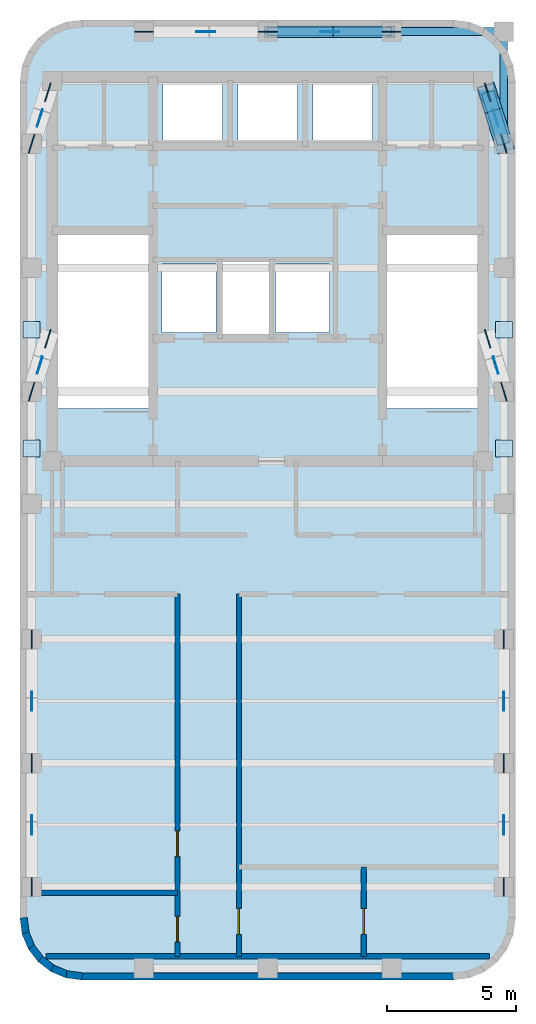
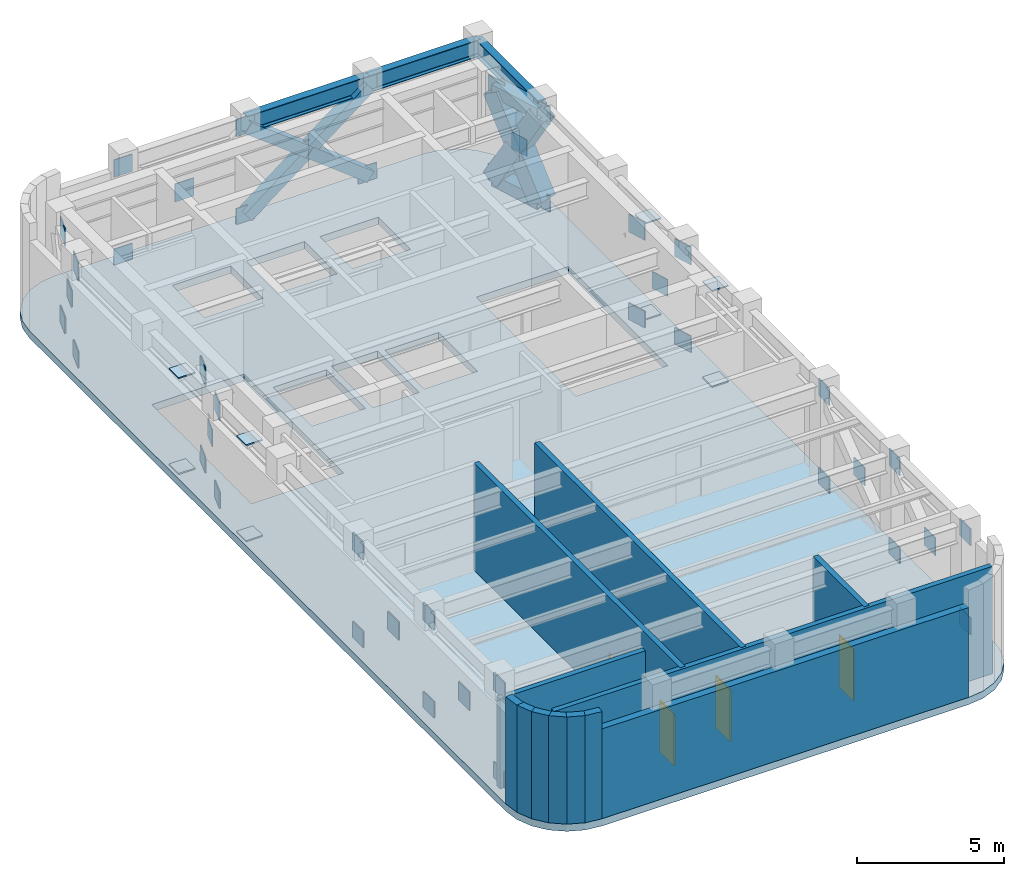
# One storey, part 2 of 5: 52 plates, 12 walls, 8 members, 4 doors, 3 beams, 1 slab, 4 openings.
"""IFC4 building model written with IfcOpenShell, lengths in metres."""

import ifcopenshell
import ifcopenshell.guid

model = None  # the IFC model being written
_history = None  # IfcOwnerHistory: only IFC2X3 demands one
_inside = {}  # id of a spatial element -> (the spatial element, [elements in it])
_under = {}  # id of a project, library or spatial element -> (it, [spatial elements below it])
_declared = {}  # id of a project -> (the project, [libraries it declares])
_typed = {}  # id of a type object -> (the type object, [elements of that type])
_made_of = {}  # id of a material, layer set ... -> (it, [elements and type objects made of it])


def new_model(schema):
    """Start an empty IFC model of exactly this schema.

    Asked for "IFC4X3", IfcOpenShell would pick the latest addendum, in which some entities
    have other attributes; the version numbers below select the first issue.
    IFC2X3 requires an IfcOwnerHistory on every rooted entity: one is made here for all.
    """
    global model, _history
    if schema == "IFC4X3":
        model = ifcopenshell.file(schema_version=(4, 3, 0, 0))
    else:
        model = ifcopenshell.file(schema=schema)
    _inside.clear()
    _under.clear()
    _declared.clear()
    _typed.clear()
    _made_of.clear()
    _history = None
    if model.schema == "IFC2X3":
        org = make("IfcOrganization", Name="unknown")
        user = make(
            "IfcPersonAndOrganization",
            ThePerson=make("IfcPerson", FamilyName="unknown"),
            TheOrganization=org,
        )
        app = make(
            "IfcApplication",
            ApplicationDeveloper=org,
            Version="unknown",
            ApplicationFullName="unknown",
            ApplicationIdentifier="unknown",
        )
        _history = make(
            "IfcOwnerHistory",
            OwningUser=user,
            OwningApplication=app,
            ChangeAction="ADDED",
            CreationDate=0,
        )
    return model


def make(cls, **values):
    """One entity of the class cls with the attributes given. An attribute that is None is left unset."""
    return model.create_entity(
        cls, **{name: value for name, value in values.items() if value is not None}
    )


def rooted(cls, **values):
    """An entity with a GlobalId (a new one), such as an element, a storey or a relation."""
    return make(cls, GlobalId=ifcopenshell.guid.new(), OwnerHistory=_history, **values)


def si_unit(unit_type, name, prefix=None):
    """IfcSIUnit, for example si_unit("LENGTHUNIT", "METRE", prefix="MILLI")."""
    return make("IfcSIUnit", UnitType=unit_type, Prefix=prefix, Name=name)


def assignment(units):
    """IfcUnitAssignment: the units of a project."""
    return None if units is None else make("IfcUnitAssignment", Units=units)


def point(xyz):
    """IfcCartesianPoint."""
    return None if xyz is None else make("IfcCartesianPoint", Coordinates=xyz)


def direction(xyz):
    """IfcDirection."""
    return None if xyz is None else make("IfcDirection", DirectionRatios=xyz)


def frame(location, z_axis=None, x_axis=None):
    """IfcAxis2Placement3D, a coordinate frame: its origin and axes. An axis left out is left unset."""
    return make(
        "IfcAxis2Placement3D",
        Location=point(location),
        Axis=direction(z_axis),
        RefDirection=direction(x_axis),
    )


def frame_2d(location, x_axis=None):
    """IfcAxis2Placement2D, a coordinate frame in the plane: its origin and x axis."""
    return make(
        "IfcAxis2Placement2D", Location=point(location), RefDirection=direction(x_axis)
    )


def origin():
    """The frame at (0, 0, 0) with its axes left unset."""
    return frame((0.0, 0.0, 0.0))


def origin_2d():
    """The frame at (0, 0) in the plane with its x axis left unset."""
    return frame_2d((0.0, 0.0))


def place(relative_to, where):
    """IfcLocalPlacement: puts the frame where relative to a parent placement (None: the world)."""
    return make(
        "IfcLocalPlacement", PlacementRelTo=relative_to, RelativePlacement=where
    )


def context(
    kind, dimensions, precision=None, world=None, true_north=None, identifier=None
):
    """IfcGeometricRepresentationContext, for example the 3D "Model" context."""
    return make(
        "IfcGeometricRepresentationContext",
        ContextIdentifier=identifier,
        ContextType=kind,
        CoordinateSpaceDimension=dimensions,
        Precision=precision,
        WorldCoordinateSystem=world,
        TrueNorth=true_north,
    )


def subcontext(parent, identifier, kind, view, scale=None):
    """IfcGeometricRepresentationSubContext, for example "Body" below "Model"."""
    return make(
        "IfcGeometricRepresentationSubContext",
        ContextIdentifier=identifier,
        ContextType=kind,
        ParentContext=parent,
        TargetScale=scale,
        TargetView=view,
    )


def project(units=None, contexts=None):
    """IfcProject with its units and contexts."""
    return rooted(
        "IfcProject",
        Name="project",
        RepresentationContexts=contexts,
        UnitsInContext=assignment(units),
    )


def spatial(cls, under=None, at=None, **own):
    """A site, building, storey or space (cls), placed at a placement, below another one or the project."""
    s = rooted(cls, ObjectPlacement=at, **own)
    if under is not None:
        _under.setdefault(under.id(), (under, []))[1].append(s)
    return s


def polyline(points):
    """IfcPolyline through the points."""
    return make("IfcPolyline", Points=[point(p) for p in points])


def profile(cls, at=None, kind="AREA", **sizes):
    """A parametric profile (cls). Its sizes go by their IFC names, for example OverallWidth=200.0."""
    return make(cls, ProfileType=kind, Position=at, **sizes)


def rectangle(**sizes):
    """IfcRectangleProfileDef."""
    return profile("IfcRectangleProfileDef", **sizes)


def hollow_rectangle(**sizes):
    """IfcRectangleHollowProfileDef."""
    return profile("IfcRectangleHollowProfileDef", **sizes)


def i_section(**sizes):
    """IfcIShapeProfileDef."""
    return profile("IfcIShapeProfileDef", **sizes)


def outline(outer, holes=None, kind="AREA"):
    """IfcArbitraryClosedProfileDef: a profile drawn as a closed curve; with holes, ...WithVoids."""
    if holes is None:
        return make("IfcArbitraryClosedProfileDef", ProfileType=kind, OuterCurve=outer)
    return make(
        "IfcArbitraryProfileDefWithVoids",
        ProfileType=kind,
        OuterCurve=outer,
        InnerCurves=holes,
    )


def extrude(swept, where, along, depth):
    """IfcExtrudedAreaSolid: the profile swept, set in the frame where, extruded along a direction by depth."""
    return make(
        "IfcExtrudedAreaSolid",
        SweptArea=swept,
        Position=where,
        ExtrudedDirection=direction(along),
        Depth=depth,
    )


def shape(context_of_items, identifier, shape_type, items):
    """IfcShapeRepresentation: the items that make up one representation, for example the "Body"."""
    return make(
        "IfcShapeRepresentation",
        ContextOfItems=context_of_items,
        RepresentationIdentifier=identifier,
        RepresentationType=shape_type,
        Items=items,
    )


def material(Name=None, Category=None):
    """IfcMaterial."""
    return make("IfcMaterial", Name=Name, Category=Category)


def layer(
    of_material, thickness, ventilated=None, Name=None, Category=None, Priority=None
):
    """IfcMaterialLayer: one layer of a wall or slab, of a material (None: an air gap)."""
    return make(
        "IfcMaterialLayer",
        Material=of_material,
        LayerThickness=thickness,
        IsVentilated=ventilated,
        Name=Name,
        Category=Category,
        Priority=Priority,
    )


def layer_set(layers, Name=None):
    """IfcMaterialLayerSet."""
    return make("IfcMaterialLayerSet", MaterialLayers=layers, LayerSetName=Name)


def material_profile(
    of_material, cross_section, Name=None, Category=None, Priority=None
):
    """IfcMaterialProfile: a cross section and its material."""
    return make(
        "IfcMaterialProfile",
        Name=Name,
        Material=of_material,
        Profile=cross_section,
        Priority=Priority,
        Category=Category,
    )


def profile_set(profiles, Name=None, composite=None):
    """IfcMaterialProfileSet."""
    return make(
        "IfcMaterialProfileSet",
        Name=Name,
        MaterialProfiles=profiles,
        CompositeProfile=composite,
    )


def made_of(thing, what):
    """Note that an element or type object is made of a material, layer set ...; save() writes the relation."""
    if what is not None:
        _made_of.setdefault(what.id(), (what, []))[1].append(thing)
    return thing


def type_object(cls, material=None, **own):
    """A type object (cls), such as IfcWallType, which elements share."""
    return made_of(rooted(cls, **own), material)


def element(
    cls,
    number,
    at=None,
    inside=None,
    cuts=None,
    type_object=None,
    material=None,
    context=None,
    identifier="Body",
    shape_type=None,
    held_by="IfcProductDefinitionShape",
    body=None,
    shapes=None,
    **own,
):
    """One element of the class cls, such as IfcWall. Its Tag is "e" and its number.

    at: its placement. inside: the storey or other place that contains it. cuts: it is an
    opening in that element (IfcRelVoidsElement). A single representation is given by context,
    identifier, shape_type and body (its items); several are given by shapes. held_by: the class
    of the entity that holds the representations. save() writes the other relations.
    """
    e = rooted(cls, Tag="e%d" % number, ObjectPlacement=at, **own)
    if body is not None:
        shapes = [shape(context, identifier, shape_type, body)]
    if shapes is not None:
        e.Representation = make(held_by, Representations=shapes)
    if inside is not None:
        _inside.setdefault(inside.id(), (inside, []))[1].append(e)
    if cuts is not None:
        rooted(
            "IfcRelVoidsElement", RelatingBuildingElement=cuts, RelatedOpeningElement=e
        )
    if type_object is not None:
        _typed.setdefault(type_object.id(), (type_object, []))[1].append(e)
    return made_of(e, material)


def fill(opening, filler):
    """IfcRelFillsElement: the door or window that sits in an opening."""
    return rooted(
        "IfcRelFillsElement",
        RelatingOpeningElement=opening,
        RelatedBuildingElement=filler,
    )


def aggregate(whole, parts):
    """IfcRelAggregates: a whole, such as a stair, and the parts it consists of."""
    return rooted("IfcRelAggregates", RelatingObject=whole, RelatedObjects=parts)


def save(model, path):
    """Write the relations noted so far, then the file.

    IfcRelAggregates (storeys below a building ...), IfcRelContainedInSpatialStructure (elements
    in a storey), IfcRelDefinesByType, IfcRelAssociatesMaterial and IfcRelDeclares: one each for
    every whole, place, type object, material and project.
    """
    for whole, parts in _under.values():
        aggregate(whole, parts)
    for where, things in _inside.values():
        rooted(
            "IfcRelContainedInSpatialStructure",
            RelatedElements=things,
            RelatingStructure=where,
        )
    for kind, things in _typed.values():
        rooted("IfcRelDefinesByType", RelatedObjects=things, RelatingType=kind)
    for what, things in _made_of.values():
        rooted("IfcRelAssociatesMaterial", RelatedObjects=things, RelatingMaterial=what)
    for by, libraries in _declared.values():
        rooted("IfcRelDeclares", RelatingContext=by, RelatedDefinitions=libraries)
    model.write(path)


model = new_model("IFC4")

# Units and contexts
model_context = context("Model", 3, precision=1e-05, world=origin(), true_north=direction((0.0, 1.0)))
body_context = subcontext(model_context, "Body", "Model", "MODEL_VIEW")
ifc_project = project(units=[si_unit("LENGTHUNIT", "METRE"), si_unit("AREAUNIT", "SQUARE_METRE"), si_unit("VOLUMEUNIT", "CUBIC_METRE"), si_unit("PLANEANGLEUNIT", "RADIAN"), si_unit("MASSUNIT", "GRAM", prefix="KILO")], contexts=[model_context])

# Site, building, storey
site_placement = place(None, origin())
site = spatial("IfcSite", under=ifc_project, at=site_placement, CompositionType="ELEMENT")
building_placement = place(site_placement, origin())
building = spatial("IfcBuilding", under=site, at=building_placement, Name="Orvandelia Arch Residences", CompositionType="ELEMENT")
storey_placement = place(building_placement, frame((0.0, 0.0, 296.199951171875)))
storey = spatial("IfcBuildingStorey", under=building, at=storey_placement, Name="L76", CompositionType="ELEMENT", Elevation=296.199951171875)

# Beams
ifc_material_1 = material(Name="Structural Steel SM355 (355 MPa)", Category="steel")
ifc_material_profile_1 = material_profile(ifc_material_1, i_section(OverallWidth=0.300048828125, OverallDepth=0.699951171875, WebThickness=0.012939453125, FlangeThickness=0.02392578125, FilletRadius=0.02392578125, at=origin_2d()), Name="Structural Steel SM355 (355 MPa)", Category="steel")
ifc_profile_set_1 = profile_set([ifc_material_profile_1], Name="Structural Steel SM355 (355 MPa)")
beam_type = type_object("IfcBeamType", Name="BM-GRD-H700", PredefinedType="BEAM", material=ifc_profile_set_1)
beam_1_placement = place(storey_placement, frame((23.550048828125, 43.199951171875, 4.10009765625), z_axis=(0.0, 1.0, 0.0), x_axis=(-1.0, 0.0, 0.0)))
element("IfcBeam", 1, at=beam_1_placement, inside=storey, type_object=beam_type, Name="Structural Frame Beam L76-NS-015", PredefinedType="BEAM", context=body_context, shape_type="SweptSolid", body=[
    extrude(i_section(OverallWidth=0.300048828125, OverallDepth=0.699951171875, WebThickness=0.012939453125, FlangeThickness=0.02392578125, FilletRadius=0.02392578125, at=origin_2d()), origin(), (0.0, 0.0, 1.0), 4.35009765625),
])
beam_2_placement = place(storey_placement, frame((14.39990234375, 47.550048828125, 4.10009765625), z_axis=(1.0, 0.0, 0.0), x_axis=(0.0, 1.0, 0.0)))
element("IfcBeam", 2, at=beam_2_placement, inside=storey, type_object=beam_type, Name="Structural Frame Girder L76-EW-028", PredefinedType="BEAM", context=body_context, shape_type="SweptSolid", body=[
    extrude(i_section(OverallWidth=0.300048828125, OverallDepth=0.699951171875, WebThickness=0.012939453125, FlangeThickness=0.02392578125, FilletRadius=0.02392578125, at=origin_2d()), origin(), (0.0, 0.0, 1.0), 4.800048828125),
])
beam_3_placement = place(storey_placement, frame((19.199951171875, 47.550048828125, 4.10009765625), z_axis=(1.0, 0.0, 0.0), x_axis=(0.0, 1.0, 0.0)))
element("IfcBeam", 3, at=beam_3_placement, inside=storey, type_object=beam_type, Name="Structural Frame Girder L76-EW-029", PredefinedType="BEAM", context=body_context, shape_type="SweptSolid", body=[
    extrude(i_section(OverallWidth=0.300048828125, OverallDepth=0.699951171875, WebThickness=0.012939453125, FlangeThickness=0.02392578125, FilletRadius=0.02392578125, at=origin_2d()), origin(), (0.0, 0.0, 1.0), 4.35009765625),
])

# Members
ifc_material_2 = material(Name="Structural Steel HSA650 (650 MPa)", Category="steel")
ifc_material_profile_2 = material_profile(ifc_material_2, hollow_rectangle(XDim=0.449951171875, YDim=0.449951171875, WallThickness=0.02490234375, at=origin_2d()), Name="Structural Steel HSA650 (650 MPa)", Category="steel")
ifc_profile_set_2 = profile_set([ifc_material_profile_2], Name="Structural Steel HSA650 (650 MPa)")
member_type_1 = type_object("IfcMemberType", Name="MBR-BELT-DIAG", PredefinedType="BRACE", material=ifc_profile_set_2)
member_1_placement = place(storey_placement, frame((14.39990234375, 47.550048828125, 0.300048828125), z_axis=(0.79201709571, 0.0, 0.610498910812), x_axis=(0.0, 1.0, 0.0)))
element("IfcMember", 4, at=member_1_placement, inside=storey, type_object=member_type_1, Name="Perimeter Belt Truss Diagonal L76-BN-2-1", PredefinedType="BRACE", context=body_context, shape_type="SweptSolid", body=[
    extrude(hollow_rectangle(XDim=0.449951171875, YDim=0.449951171875, WallThickness=0.02490234375, at=origin_2d()), origin(), (0.0, 0.0, 1.0), 6.060546875),
])
member_2_placement = place(storey_placement, frame((19.199951171875, 47.550048828125, 0.300048828125), z_axis=(-0.79199143626, 0.0, 0.610532198078), x_axis=(0.0, -1.0, 0.0)))
element("IfcMember", 5, at=member_2_placement, inside=storey, type_object=member_type_1, Name="Perimeter Belt Truss Split Diagonal Lower L76-BN-2-2A", PredefinedType="BRACE", context=body_context, shape_type="SweptSolid", body=[
    extrude(hollow_rectangle(XDim=0.449951171875, YDim=0.449951171875, WallThickness=0.02490234375, at=origin_2d()), origin(), (0.0, 0.0, 1.0), 3.01513671875),
])
member_3_placement = place(storey_placement, frame((16.7880859375, 47.550048828125, 2.1591796875), z_axis=(-0.792021615799, 0.0, 0.610493046731), x_axis=(0.0, -1.0, 0.0)))
element("IfcMember", 6, at=member_3_placement, inside=storey, type_object=member_type_1, Name="Perimeter Belt Truss Split Diagonal Upper L76-BN-2-2B", PredefinedType="BRACE", context=body_context, shape_type="SweptSolid", body=[
    extrude(hollow_rectangle(XDim=0.449951171875, YDim=0.449951171875, WallThickness=0.02490234375, at=origin_2d()), origin(), (0.0, 0.0, 1.0), 3.015380859375),
])
ifc_material_profile_3 = material_profile(ifc_material_2, hollow_rectangle(XDim=0.5, YDim=0.5, WallThickness=0.028076171875, at=origin_2d()), Name="Structural Steel HSA650 (650 MPa)", Category="steel")
ifc_profile_set_3 = profile_set([ifc_material_profile_3], Name="Structural Steel HSA650 (650 MPa)")
member_type_2 = type_object("IfcMemberType", Name="MBR-OUTRIGGER-CHORD", PredefinedType="CHORD", material=ifc_profile_set_3)
for number, where, z_axis, x_axis, name in (
    (7, (23.550048828125, 43.199951171875, 0.300048828125), (-0.30050165057, 0.95378129464, 0.0), (-0.95378129464, -0.30050165057, 0.0), "Outrigger Bottom Chord L76-OE-N"),
    (8, (23.550048828125, 43.199951171875, 4.0), (-0.30050165057, 0.95378129464, 0.0), (-0.95378129464, -0.30050165057, 0.0), "Outrigger Top Chord L76-OE-N"),
):
    element("IfcMember", number, at=place(storey_placement, frame(where, z_axis=z_axis, x_axis=x_axis)), inside=storey, type_object=member_type_2, Name=name, PredefinedType="CHORD", context=body_context, shape_type="SweptSolid", body=[
        extrude(hollow_rectangle(XDim=0.5, YDim=0.5, WallThickness=0.028076171875, at=origin_2d()), origin(), (0.0, 0.0, 1.0), 2.096923828125),
    ])
ifc_material_profile_4 = material_profile(ifc_material_2, hollow_rectangle(XDim=0.699951171875, YDim=0.699951171875, WallThickness=0.0400390625, at=origin_2d()), Name="Structural Steel HSA650 (650 MPa)", Category="steel")
ifc_profile_set_4 = profile_set([ifc_material_profile_4], Name="Structural Steel HSA650 (650 MPa)")
member_type_3 = type_object("IfcMemberType", Name="MBR-OUTRIGGER-DIAG", PredefinedType="BRACE", material=ifc_profile_set_4)
member_4_placement = place(storey_placement, frame((23.550048828125, 43.199951171875, 0.35009765625), z_axis=(-0.151252711649, 0.480070598153, 0.864091915254), x_axis=(-0.95378129464, -0.30050165057, 0.0)))
element("IfcMember", 9, at=member_4_placement, inside=storey, type_object=member_type_3, Name="Outrigger Web Diagonal L76-OE-N-1", PredefinedType="BRACE", context=body_context, shape_type="SweptSolid", body=[
    extrude(hollow_rectangle(XDim=0.699951171875, YDim=0.699951171875, WallThickness=0.0400390625, at=origin_2d()), origin(), (0.0, 0.0, 1.0), 4.166015625),
])
for number, where, z_axis, x_axis, name in (
    (10, (22.919921875, 45.199951171875, 0.35009765625), (0.151239481798, -0.480046629968, 0.864107546664), (0.953784528174, 0.300491387258, 0.0), "Outrigger Split Diagonal Lower L76-OE-N-2A"),
    (11, (23.2373046875, 44.19287109375, 2.1630859375), (0.151230909818, -0.480137478711, 0.864058570614), (0.953805702092, 0.300424171227, 0.0), "Outrigger Split Diagonal Upper L76-OE-N-2B"),
):
    element("IfcMember", number, at=place(storey_placement, frame(where, z_axis=z_axis, x_axis=x_axis)), inside=storey, type_object=member_type_3, Name=name, PredefinedType="BRACE", context=body_context, shape_type="SweptSolid", body=[
        extrude(hollow_rectangle(XDim=0.699951171875, YDim=0.699951171875, WallThickness=0.0400390625, at=origin_2d()), origin(), (0.0, 0.0, 1.0), 2.06787109375),
    ])

# Plates
ifc_layer_1 = layer(ifc_material_2, 0.050048828125, Name="Structural Steel HSA650 (650 MPa)", Category="steel")
ifc_layer_set_1 = layer_set([ifc_layer_1], Name="Structural Steel HSA650 (650 MPa)")
plate_type_1 = type_object("IfcPlateType", Name="PLT-BASE-650", PredefinedType="USERDEFINED", material=ifc_layer_set_1)
for number, where, z_axis, x_axis, name in (
    (12, (5.25, 31.39990234375, 0.0), (0.0, 0.0, 1.0), (1.0, 0.0, 0.0), "Belt Post Base Plate L76-BPW-1"),
    (13, (5.25, 31.39990234375, 3.97509765625), (0.0, 0.0, 1.0), (1.0, 0.0, 0.0), "Belt Post Top Cap Plate L76-BPW-1"),
    (14, (5.25, 36.0, 0.0), (0.0, 0.0, 1.0), (1.0, 0.0, 0.0), "Belt Post Base Plate L76-BPW-2"),
    (15, (5.25, 36.0, 3.97509765625), (0.0, 0.0, 1.0), (1.0, 0.0, 0.0), "Belt Post Top Cap Plate L76-BPW-2"),
    (16, (23.550048828125, 31.39990234375, 0.0), (0.0, 0.0, 1.0), (1.0, 0.0, 0.0), "Belt Post Base Plate L76-BPE-1"),
    (17, (23.550048828125, 31.39990234375, 3.97509765625), (0.0, 0.0, 1.0), (1.0, 0.0, 0.0), "Belt Post Top Cap Plate L76-BPE-1"),
    (18, (23.550048828125, 36.0, 0.0), (0.0, 0.0, 1.0), (1.0, 0.0, 0.0), "Belt Post Base Plate L76-BPE-2"),
    (19, (23.550048828125, 36.0, 3.97509765625), (0.0, 0.0, 1.0), (1.0, 0.0, 0.0), "Belt Post Top Cap Plate L76-BPE-2"),
):
    element("IfcPlate", number, at=place(storey_placement, frame(where, z_axis=z_axis, x_axis=x_axis)), inside=storey, type_object=plate_type_1, Name=name, ObjectType="BASE_PLATE", PredefinedType="USERDEFINED", context=body_context, shape_type="SweptSolid", body=[
        extrude(rectangle(XDim=0.64990234375, YDim=0.64990234375, at=origin_2d()), origin(), (0.0, 0.0, 1.0), 0.050048828125),
    ])
ifc_layer_2 = layer(ifc_material_2, 0.0400390625, Name="Structural Steel HSA650 (650 MPa)", Category="steel")
ifc_layer_set_2 = layer_set([ifc_layer_2], Name="Structural Steel HSA650 (650 MPa)")
plate_type_2 = type_object("IfcPlateType", Name="PLT-GUSSET-720", PredefinedType="USERDEFINED", material=ifc_layer_set_2)
for number, where, z_axis, x_axis, name in (
    (20, (5.25, 14.39990234375, -0.06005859375), (0.0, 0.0, 1.0), (0.0, 1.0, 0.0), "Belt Truss End Gusset Plate L76-BW-1-ALO"),
    (21, (5.25, 19.199951171875, -0.06005859375), (0.0, 0.0, 1.0), (0.0, 1.0, 0.0), "Belt Truss End Gusset Plate L76-BW-1-BLO"),
    (22, (5.25, 14.39990234375, 3.64013671875), (0.0, 0.0, 1.0), (0.0, 1.0, 0.0), "Belt Truss End Gusset Plate L76-BW-1-AHI"),
    (23, (5.25, 19.199951171875, 3.64013671875), (0.0, 0.0, 1.0), (0.0, 1.0, 0.0), "Belt Truss End Gusset Plate L76-BW-1-BHI"),
    (24, (5.25, 24.0, -0.06005859375), (0.0, 0.0, 1.0), (0.0, 1.0, 0.0), "Belt Truss End Gusset Plate L76-BW-2-BLO"),
    (25, (5.25, 24.0, 3.64013671875), (0.0, 0.0, 1.0), (0.0, 1.0, 0.0), "Belt Truss End Gusset Plate L76-BW-2-BHI"),
    (26, (23.550048828125, 14.39990234375, -0.06005859375), (0.0, 0.0, 1.0), (0.0, 1.0, 0.0), "Belt Truss End Gusset Plate L76-BE-1-ALO"),
    (27, (23.550048828125, 19.199951171875, -0.06005859375), (0.0, 0.0, 1.0), (0.0, 1.0, 0.0), "Belt Truss End Gusset Plate L76-BE-1-BLO"),
    (28, (23.550048828125, 14.39990234375, 3.64013671875), (0.0, 0.0, 1.0), (0.0, 1.0, 0.0), "Belt Truss End Gusset Plate L76-BE-1-AHI"),
    (29, (23.550048828125, 19.199951171875, 3.64013671875), (0.0, 0.0, 1.0), (0.0, 1.0, 0.0), "Belt Truss End Gusset Plate L76-BE-1-BHI"),
    (30, (23.550048828125, 24.0, -0.06005859375), (0.0, 0.0, 1.0), (0.0, 1.0, 0.0), "Belt Truss End Gusset Plate L76-BE-2-BLO"),
    (31, (23.550048828125, 24.0, 3.64013671875), (0.0, 0.0, 1.0), (0.0, 1.0, 0.0), "Belt Truss End Gusset Plate L76-BE-2-BHI"),
    (32, (9.60009765625, 47.550048828125, -0.06005859375), (0.0, 0.0, 1.0), (1.0, 0.0, 0.0), "Belt Truss End Gusset Plate L76-BN-1-ALO"),
    (33, (14.39990234375, 47.550048828125, -0.06005859375), (0.0, 0.0, 1.0), (1.0, 0.0, 0.0), "Belt Truss End Gusset Plate L76-BN-1-BLO"),
    (34, (9.60009765625, 47.550048828125, 3.64013671875), (0.0, 0.0, 1.0), (1.0, 0.0, 0.0), "Belt Truss End Gusset Plate L76-BN-1-AHI"),
    (35, (14.39990234375, 47.550048828125, 3.64013671875), (0.0, 0.0, 1.0), (1.0, 0.0, 0.0), "Belt Truss End Gusset Plate L76-BN-1-BHI"),
    (36, (19.199951171875, 47.550048828125, -0.06005859375), (0.0, 0.0, 1.0), (1.0, 0.0, 0.0), "Belt Truss End Gusset Plate L76-BN-2-BLO"),
    (37, (19.199951171875, 47.550048828125, 3.64013671875), (0.0, 0.0, 1.0), (1.0, 0.0, 0.0), "Belt Truss End Gusset Plate L76-BN-2-BHI"),
):
    element("IfcPlate", number, at=place(storey_placement, frame(where, z_axis=z_axis, x_axis=x_axis)), inside=storey, type_object=plate_type_2, Name=name, ObjectType="GUSSET_PLATE", PredefinedType="USERDEFINED", context=body_context, shape_type="SweptSolid", body=[
        extrude(rectangle(XDim=0.719970703125, YDim=0.0400390625, at=origin_2d()), origin(), (0.0, 0.0, 1.0), 0.719970703125),
    ])
ifc_layer_3 = layer(ifc_material_2, 0.0400390625, Name="Structural Steel HSA650 (650 MPa)", Category="steel")
ifc_layer_set_3 = layer_set([ifc_layer_3], Name="Structural Steel HSA650 (650 MPa)")
plate_type_3 = type_object("IfcPlateType", Name="PLT-GUSSET-750", PredefinedType="USERDEFINED", material=ifc_layer_set_3)
for number, where, z_axis, x_axis, name in (
    (38, (5.25, 33.60009765625, -0.074951171875), (0.0, 0.0, 1.0), (0.293756722797, 0.955880216246, 0.0), "Outrigger End Gusset Plate L76-OW-S-ALO"),
    (39, (5.8798828125, 35.64990234375, -0.074951171875), (0.0, 0.0, 1.0), (0.293756722797, 0.955880216246, 0.0), "Outrigger End Gusset Plate L76-OW-S-BLO"),
    (40, (5.25, 33.60009765625, 3.625), (0.0, 0.0, 1.0), (0.293756722797, 0.955880216246, 0.0), "Outrigger End Gusset Plate L76-OW-S-AHI"),
    (41, (5.8798828125, 35.64990234375, 3.625), (0.0, 0.0, 1.0), (0.293756722797, 0.955880216246, 0.0), "Outrigger End Gusset Plate L76-OW-S-BHI"),
    (42, (5.25, 43.199951171875, -0.074951171875), (0.0, 0.0, 1.0), (0.300439459768, 0.953800886461, 0.0), "Outrigger End Gusset Plate L76-OW-N-ALO"),
    (43, (5.8798828125, 45.199951171875, -0.074951171875), (0.0, 0.0, 1.0), (0.300439459768, 0.953800886461, 0.0), "Outrigger End Gusset Plate L76-OW-N-BLO"),
    (44, (5.25, 43.199951171875, 3.625), (0.0, 0.0, 1.0), (0.300439459768, 0.953800886461, 0.0), "Outrigger End Gusset Plate L76-OW-N-AHI"),
    (45, (5.8798828125, 45.199951171875, 3.625), (0.0, 0.0, 1.0), (0.300439459768, 0.953800886461, 0.0), "Outrigger End Gusset Plate L76-OW-N-BHI"),
    (46, (23.550048828125, 33.60009765625, -0.074951171875), (0.0, 0.0, 1.0), (-0.293756722797, 0.955880216246, 0.0), "Outrigger End Gusset Plate L76-OE-S-ALO"),
    (47, (22.919921875, 35.64990234375, -0.074951171875), (0.0, 0.0, 1.0), (-0.293756722797, 0.955880216246, 0.0), "Outrigger End Gusset Plate L76-OE-S-BLO"),
    (48, (23.550048828125, 33.60009765625, 3.625), (0.0, 0.0, 1.0), (-0.293756722797, 0.955880216246, 0.0), "Outrigger End Gusset Plate L76-OE-S-AHI"),
    (49, (22.919921875, 35.64990234375, 3.625), (0.0, 0.0, 1.0), (-0.293756722797, 0.955880216246, 0.0), "Outrigger End Gusset Plate L76-OE-S-BHI"),
    (50, (23.550048828125, 43.199951171875, -0.074951171875), (0.0, 0.0, 1.0), (-0.300439459768, 0.953800886461, 0.0), "Outrigger End Gusset Plate L76-OE-N-ALO"),
    (51, (22.919921875, 45.199951171875, -0.074951171875), (0.0, 0.0, 1.0), (-0.300439459768, 0.953800886461, 0.0), "Outrigger End Gusset Plate L76-OE-N-BLO"),
    (52, (23.550048828125, 43.199951171875, 3.625), (0.0, 0.0, 1.0), (-0.300439459768, 0.953800886461, 0.0), "Outrigger End Gusset Plate L76-OE-N-AHI"),
    (53, (22.919921875, 45.199951171875, 3.625), (0.0, 0.0, 1.0), (-0.300439459768, 0.953800886461, 0.0), "Outrigger End Gusset Plate L76-OE-N-BHI"),
):
    element("IfcPlate", number, at=place(storey_placement, frame(where, z_axis=z_axis, x_axis=x_axis)), inside=storey, type_object=plate_type_3, Name=name, ObjectType="GUSSET_PLATE", PredefinedType="USERDEFINED", context=body_context, shape_type="SweptSolid", body=[
        extrude(rectangle(XDim=0.75, YDim=0.0400390625, at=origin_2d()), origin(), (0.0, 0.0, 1.0), 0.75),
    ])
ifc_layer_4 = layer(ifc_material_1, 0.035888671875, Name="Structural Steel SM355 (355 MPa)", Category="steel")
ifc_layer_set_4 = layer_set([ifc_layer_4], Name="Structural Steel SM355 (355 MPa)")
plate_type_4 = type_object("IfcPlateType", Name="PLT-NODE-700", PredefinedType="SHEET", material=ifc_layer_set_4)
for number, where, z_axis, x_axis, name in (
    (54, (5.56494140625, 34.625, 1.80029296875), (0.0, 0.0, 1.0), (0.293756722797, 0.955880216246, 0.0), "Outrigger X-Node Gusset Plate L76-OW-S"),
    (55, (5.56494140625, 44.199951171875, 1.80029296875), (0.0, 0.0, 1.0), (0.300439459768, 0.953800886461, 0.0), "Outrigger X-Node Gusset Plate L76-OW-N"),
    (56, (23.235107421875, 34.625, 1.80029296875), (0.0, 0.0, 1.0), (-0.293756722797, 0.955880216246, 0.0), "Outrigger X-Node Gusset Plate L76-OE-S"),
    (57, (23.235107421875, 44.199951171875, 1.80029296875), (0.0, 0.0, 1.0), (-0.300439459768, 0.953800886461, 0.0), "Outrigger X-Node Gusset Plate L76-OE-N"),
):
    element("IfcPlate", number, at=place(storey_placement, frame(where, z_axis=z_axis, x_axis=x_axis)), inside=storey, type_object=plate_type_4, Name=name, PredefinedType="SHEET", context=body_context, shape_type="SweptSolid", body=[
        extrude(rectangle(XDim=0.699951171875, YDim=0.035888671875, at=origin_2d()), origin(), (0.0, 0.0, 1.0), 0.699951171875),
    ])
ifc_layer_5 = layer(ifc_material_1, 0.035888671875, Name="Structural Steel SM355 (355 MPa)", Category="steel")
ifc_layer_set_5 = layer_set([ifc_layer_5], Name="Structural Steel SM355 (355 MPa)")
plate_type_5 = type_object("IfcPlateType", Name="PLT-NODE-750", PredefinedType="SHEET", material=ifc_layer_set_5)
for number, where, z_axis, x_axis, name in (
    (58, (5.25, 16.800048828125, 1.775146484375), (0.0, 0.0, 1.0), (0.0, 1.0, 0.0), "Belt Truss X-Node Gusset Plate L76-BW-1"),
    (59, (5.25, 21.60009765625, 1.775146484375), (0.0, 0.0, 1.0), (0.0, 1.0, 0.0), "Belt Truss X-Node Gusset Plate L76-BW-2"),
    (60, (23.550048828125, 16.800048828125, 1.775146484375), (0.0, 0.0, 1.0), (0.0, 1.0, 0.0), "Belt Truss X-Node Gusset Plate L76-BE-1"),
    (61, (23.550048828125, 21.60009765625, 1.775146484375), (0.0, 0.0, 1.0), (0.0, 1.0, 0.0), "Belt Truss X-Node Gusset Plate L76-BE-2"),
    (62, (12.0, 47.550048828125, 1.775146484375), (0.0, 0.0, 1.0), (1.0, 0.0, 0.0), "Belt Truss X-Node Gusset Plate L76-BN-1"),
    (63, (16.800048828125, 47.550048828125, 1.775146484375), (0.0, 0.0, 1.0), (1.0, 0.0, 0.0), "Belt Truss X-Node Gusset Plate L76-BN-2"),
):
    element("IfcPlate", number, at=place(storey_placement, frame(where, z_axis=z_axis, x_axis=x_axis)), inside=storey, type_object=plate_type_5, Name=name, PredefinedType="SHEET", context=body_context, shape_type="SweptSolid", body=[
        extrude(rectangle(XDim=0.75, YDim=0.035888671875, at=origin_2d()), origin(), (0.0, 0.0, 1.0), 0.75),
    ])

# Slab
ifc_material_3 = material(Name="Concrete C50/60", Category="concrete")
ifc_layer_6 = layer(ifc_material_3, 0.300048828125, Name="Concrete C50/60", Category="concrete")
ifc_layer_set_6 = layer_set([ifc_layer_6], Name="Concrete C50/60")
slab_type = type_object("IfcSlabType", Name="SLB-OUT-300", PredefinedType="FLOOR", material=ifc_layer_set_6)
slab_placement = place(storey_placement, frame((0.0, 0.0, -0.300048828125)))
element("IfcSlab", 64, at=slab_placement, inside=storey, type_object=slab_type, Name="Structural Floor Slab L76-1", PredefinedType="FLOOR", context=body_context, shape_type="SweptSolid", body=[
    extrude(outline(polyline([(4.800048828125, 13.199951171875), (4.8818359375, 12.578857421875), (5.12158203125, 12.0), (5.5029296875, 11.5029296875), (6.0, 11.12158203125), (6.578857421875, 10.8818359375), (7.199951171875, 10.800048828125), (21.60009765625, 10.800048828125), (22.22119140625, 10.8818359375), (22.800048828125, 11.12158203125), (23.297119140625, 11.5029296875), (23.678466796875, 12.0), (23.918212890625, 12.578857421875), (24.0, 13.199951171875), (24.0, 45.60009765625), (23.918212890625, 46.22119140625), (23.678466796875, 46.800048828125), (23.297119140625, 47.297119140625), (22.800048828125, 47.678466796875), (22.22119140625, 47.918212890625), (21.60009765625, 48.0), (7.199951171875, 48.0), (6.578857421875, 47.918212890625), (6.0, 47.678466796875), (5.5029296875, 47.297119140625), (5.12158203125, 46.800048828125), (4.8818359375, 46.22119140625), (4.800048828125, 45.60009765625), (4.800048828125, 13.199951171875)]), holes=[polyline([(6.219970703125, 32.949951171875), (9.840087890625, 32.949951171875), (9.840087890625, 39.72998046875), (6.219970703125, 39.72998046875), (6.219970703125, 32.949951171875)]), polyline([(18.9599609375, 32.949951171875), (22.580078125, 32.949951171875), (22.580078125, 39.72998046875), (18.9599609375, 39.72998046875), (18.9599609375, 32.949951171875)]), polyline([(12.639892578125, 35.81005859375), (14.4599609375, 35.81005859375), (14.4599609375, 38.639892578125), (12.639892578125, 38.639892578125), (12.639892578125, 35.81005859375)]), polyline([(10.300048828125, 35.89990234375), (12.39990234375, 35.89990234375), (12.39990234375, 38.550048828125), (10.300048828125, 38.550048828125), (10.300048828125, 35.89990234375)]), polyline([(14.699951171875, 35.89990234375), (16.800048828125, 35.89990234375), (16.800048828125, 38.550048828125), (14.699951171875, 38.550048828125), (14.699951171875, 35.89990234375)]), polyline([(10.35009765625, 43.300048828125), (12.64990234375, 43.300048828125), (12.64990234375, 45.5), (10.35009765625, 45.5), (10.35009765625, 43.300048828125)]), polyline([(13.25, 43.300048828125), (15.550048828125, 43.300048828125), (15.550048828125, 45.5), (13.25, 45.5), (13.25, 43.300048828125)]), polyline([(16.14990234375, 43.300048828125), (18.449951171875, 43.300048828125), (18.449951171875, 45.5), (16.14990234375, 45.5), (16.14990234375, 43.300048828125)])]), origin(), (0.0, 0.0, 1.0), 0.300048828125),
])

# Walls
ifc_material_4 = material(Name="Fire-Rated Corridor Partition")
ifc_layer_7 = layer(ifc_material_4, 0.199951171875, Name="Fire-Rated Corridor Partition")
ifc_layer_set_7 = layer_set([ifc_layer_7], Name="Fire-Rated Corridor Partition")
wall_type_1 = type_object("IfcWallType", Name="WL-CORR-200", PredefinedType="PARTITIONING", material=ifc_layer_set_7)
wall_1_placement = place(storey_placement, frame((5.080078125, 14.179931640625, 0.0), z_axis=(0.0, 0.0, 1.0), x_axis=(1.0, 0.0, 0.0)))
element("IfcWall", 65, at=wall_1_placement, inside=storey, type_object=wall_type_1, Name="Interior Partition Wall WL-L76-WREF-S", PredefinedType="PARTITIONING", context=body_context, shape_type="SweptSolid", body=[
    extrude(rectangle(XDim=5.81982421875, YDim=0.199951171875, at=frame_2d((2.909912109375, 0.0))), origin(), (0.0, 0.0, 1.0), 3.72998046875),
])
wall_2_placement = place(storey_placement, frame((5.800048828125, 11.719970703125, 0.0), z_axis=(0.0, 0.0, 1.0), x_axis=(1.0, 0.0, 0.0)))
element("IfcWall", 66, at=wall_2_placement, inside=storey, type_object=wall_type_1, Name="Interior Partition Wall WL-L76-PLT-S0", PredefinedType="PARTITIONING", context=body_context, shape_type="SweptSolid", body=[
    extrude(rectangle(XDim=17.199951171875, YDim=0.199951171875, at=frame_2d((8.60009765625, 0.0))), origin(), (0.0, 0.0, 1.0), 4.449951171875),
])

# Wall, openings, doors
wall_3_placement = place(storey_placement, frame((10.89990234375, 11.719970703125, 0.0), z_axis=(0.0, 0.0, 1.0), x_axis=(0.0, 1.0, 0.0)))
wall_3 = element("IfcWall", 67, at=wall_3_placement, inside=storey, type_object=wall_type_1, Name="Interior Partition Wall WL-L76-PC-W", PredefinedType="PARTITIONING", context=body_context, shape_type="SweptSolid", body=[
    extrude(rectangle(XDim=14.030029296875, YDim=0.199951171875, at=frame_2d((7.01513671875, 0.0))), origin(), (0.0, 0.0, 1.0), 4.449951171875),
])
opening_1_placement = place(wall_3_placement, frame((3.860107421875, 0.0, 0.0)))
opening_1 = element("IfcOpeningElement", 68, at=opening_1_placement, cuts=wall_3, Name="Opening D6", PredefinedType="OPENING", context=body_context, shape_type="SweptSolid", body=[
    extrude(rectangle(XDim=1.0, YDim=2.14990234375, at=frame_2d((0.5, 1.074951171875))), frame((0.0, 0.10986328125, 0.0), z_axis=(0.0, -1.0, 0.0), x_axis=(1.0, 0.0, 0.0)), (0.0, 0.0, 1.0), 0.219970703125),
])
opening_2_placement = place(wall_3_placement, frame((0.550048828125, 0.0, 0.0)))
opening_2 = element("IfcOpeningElement", 69, at=opening_2_placement, cuts=wall_3, Name="Opening D6", PredefinedType="OPENING", context=body_context, shape_type="SweptSolid", body=[
    extrude(rectangle(XDim=1.0, YDim=2.14990234375, at=frame_2d((0.5, 1.074951171875))), frame((0.0, 0.10986328125, 0.0), z_axis=(0.0, -1.0, 0.0), x_axis=(1.0, 0.0, 0.0)), (0.0, 0.0, 1.0), 0.219970703125),
])
ifc_material_5 = material(Name="Smokeproof Painted Steel Fire Door", Category="steel")
door_type = type_object("IfcDoorType", Name="DR-FD60-1000", OperationType="NOTDEFINED", PredefinedType="DOOR", material=ifc_material_5)
door_1_placement = place(opening_1_placement, origin())
door_1 = element("IfcDoor", 70, at=door_1_placement, inside=storey, type_object=door_type, Name="Refuge Safety Zone West Fire Door 2 L76", OperationType="SINGLE_SWING_LEFT", OverallHeight=2.14990234375, OverallWidth=1.0, PredefinedType="DOOR", context=body_context, shape_type="SweptSolid", body=[
    extrude(rectangle(XDim=1.0, YDim=2.14990234375, at=frame_2d((0.5, 1.074951171875))), frame((0.0, 0.02490234375, 0.0), z_axis=(0.0, -1.0, 0.0), x_axis=(1.0, 0.0, 0.0)), (0.0, 0.0, 1.0), 0.050048828125),
])
fill(opening_1, door_1)
door_2_placement = place(opening_2_placement, origin())
door_2 = element("IfcDoor", 71, at=door_2_placement, inside=storey, type_object=door_type, Name="DR-L76-P1", OperationType="SINGLE_SWING_LEFT", OverallHeight=2.14990234375, OverallWidth=1.0, PredefinedType="DOOR", context=body_context, shape_type="SweptSolid", body=[
    extrude(rectangle(XDim=1.0, YDim=2.14990234375, at=frame_2d((0.5, 1.074951171875))), frame((0.0, 0.02490234375, 0.0), z_axis=(0.0, -1.0, 0.0), x_axis=(1.0, 0.0, 0.0)), (0.0, 0.0, 1.0), 0.050048828125),
])
fill(opening_2, door_2)

# Wall, opening, door
wall_4_placement = place(storey_placement, frame((13.280029296875, 11.719970703125, 0.0), z_axis=(0.0, 0.0, 1.0), x_axis=(0.0, 1.0, 0.0)))
wall_4 = element("IfcWall", 72, at=wall_4_placement, inside=storey, type_object=wall_type_1, Name="Interior Partition Wall WL-L76-PC-E", PredefinedType="PARTITIONING", context=body_context, shape_type="SweptSolid", body=[
    extrude(rectangle(XDim=14.030029296875, YDim=0.199951171875, at=frame_2d((7.01513671875, 0.0))), origin(), (0.0, 0.0, 1.0), 4.449951171875),
])
opening_3_placement = place(wall_4_placement, frame((0.85009765625, 0.0, 0.0)))
opening_3 = element("IfcOpeningElement", 73, at=opening_3_placement, cuts=wall_4, Name="Opening D6", PredefinedType="OPENING", context=body_context, shape_type="SweptSolid", body=[
    extrude(rectangle(XDim=1.0, YDim=2.14990234375, at=frame_2d((0.5, 1.074951171875))), frame((0.0, 0.10986328125, 0.0), z_axis=(0.0, -1.0, 0.0), x_axis=(1.0, 0.0, 0.0)), (0.0, 0.0, 1.0), 0.219970703125),
])
door_3_placement = place(opening_3_placement, origin())
door_3 = element("IfcDoor", 74, at=door_3_placement, inside=storey, type_object=door_type, Name="DR-L76-P3", OperationType="SINGLE_SWING_RIGHT", OverallHeight=2.14990234375, OverallWidth=1.0, PredefinedType="DOOR", context=body_context, shape_type="SweptSolid", body=[
    extrude(rectangle(XDim=1.0, YDim=2.14990234375, at=frame_2d((0.5, 1.074951171875))), frame((0.0, 0.02490234375, 0.0), z_axis=(0.0, -1.0, 0.0), x_axis=(1.0, 0.0, 0.0)), (0.0, 0.0, 1.0), 0.050048828125),
])
fill(opening_3, door_3)

wall_5_placement = place(storey_placement, frame((18.1201171875, 11.719970703125, 0.0), z_axis=(0.0, 0.0, 1.0), x_axis=(0.0, 1.0, 0.0)))
wall_5 = element("IfcWall", 75, at=wall_5_placement, inside=storey, type_object=wall_type_1, Name="Interior Partition Wall WL-L76-PMV", PredefinedType="PARTITIONING", context=body_context, shape_type="SweptSolid", body=[
    extrude(rectangle(XDim=3.4599609375, YDim=0.199951171875, at=frame_2d((1.72998046875, 0.0))), origin(), (0.0, 0.0, 1.0), 4.449951171875),
])
opening_4_placement = place(wall_5_placement, frame((0.85009765625, 0.0, 0.0)))
opening_4 = element("IfcOpeningElement", 76, at=opening_4_placement, cuts=wall_5, Name="Opening D6", PredefinedType="OPENING", context=body_context, shape_type="SweptSolid", body=[
    extrude(rectangle(XDim=1.0, YDim=2.14990234375, at=frame_2d((0.5, 1.074951171875))), frame((0.0, 0.10986328125, 0.0), z_axis=(0.0, -1.0, 0.0), x_axis=(1.0, 0.0, 0.0)), (0.0, 0.0, 1.0), 0.219970703125),
])
door_4_placement = place(opening_4_placement, origin())
door_4 = element("IfcDoor", 77, at=door_4_placement, inside=storey, type_object=door_type, Name="DR-L76-P4", OperationType="SINGLE_SWING_LEFT", OverallHeight=2.14990234375, OverallWidth=1.0, PredefinedType="DOOR", context=body_context, shape_type="SweptSolid", body=[
    extrude(rectangle(XDim=1.0, YDim=2.14990234375, at=frame_2d((0.5, 1.074951171875))), frame((0.0, 0.02490234375, 0.0), z_axis=(0.0, -1.0, 0.0), x_axis=(1.0, 0.0, 0.0)), (0.0, 0.0, 1.0), 0.050048828125),
])
fill(opening_4, door_4)

# Walls
ifc_material_6 = material(Name="Precast concrete C40/50", Category="concrete")
ifc_layer_8 = layer(ifc_material_6, 0.280029296875, Name="Precast concrete C40/50", Category="concrete")
ifc_layer_set_8 = layer_set([ifc_layer_8], Name="Precast concrete C40/50")
wall_type_2 = type_object("IfcWallType", Name="WL-EXT-STONE-280", PredefinedType="STANDARD", material=ifc_layer_set_8)
wall_6_placement = place(storey_placement, frame((21.60009765625, 10.93994140625, 0.0), z_axis=(0.0, 0.0, 1.0), x_axis=(-1.0, 0.0, 0.0)))
element("IfcWall", 78, at=wall_6_placement, inside=storey, type_object=wall_type_2, Name="Coral-Limestone Precast Facade Wall L76-021", PredefinedType="STANDARD", context=body_context, shape_type="SweptSolid", body=[
    extrude(rectangle(XDim=14.400146484375, YDim=0.280029296875, at=frame_2d((7.2001953125, 0.0))), origin(), (0.0, 0.0, 1.0), 3.72998046875),
])
wall_7_placement = place(storey_placement, frame((7.21826171875, 10.938720703125, 0.0), z_axis=(0.0, 0.0, 1.0), x_axis=(-0.9914410257, 0.130555323746, 0.0)))
element("IfcWall", 79, at=wall_7_placement, inside=storey, type_object=wall_type_2, Name="Coral-Limestone Precast Facade Wall L76-022", PredefinedType="STANDARD", context=body_context, shape_type="SweptSolid", body=[
    extrude(rectangle(XDim=0.62646484375, YDim=0.280029296875, at=frame_2d((0.313232421875, 0.0))), origin(), (0.0, 0.0, 1.0), 4.449951171875),
])
wall_8_placement = place(storey_placement, frame((6.63232421875, 11.010986328125, 0.0), z_axis=(0.0, 0.0, 1.0), x_axis=(-0.923836271867, 0.382787856107, 0.0)))
element("IfcWall", 80, at=wall_8_placement, inside=storey, type_object=wall_type_2, Name="Coral-Limestone Precast Facade Wall L76-023", PredefinedType="STANDARD", context=body_context, shape_type="SweptSolid", body=[
    extrude(rectangle(XDim=0.626220703125, YDim=0.280029296875, at=frame_2d((0.31298828125, 0.0))), origin(), (0.0, 0.0, 1.0), 4.449951171875),
])
for number, where, z_axis, x_axis, name in (
    (81, (6.085205078125, 11.232666015625, 0.0), (0.0, 0.0, 1.0), (-0.793405610854, 0.608693302629, 0.0), "Coral-Limestone Precast Facade Wall L76-024"),
    (82, (5.614013671875, 11.588134765625, 0.0), (0.0, 0.0, 1.0), (-0.608693302629, 0.793405610854, 0.0), "Coral-Limestone Precast Facade Wall L76-025"),
):
    element("IfcWall", number, at=place(storey_placement, frame(where, z_axis=z_axis, x_axis=x_axis)), inside=storey, type_object=wall_type_2, Name=name, PredefinedType="STANDARD", context=body_context, shape_type="SweptSolid", body=[
        extrude(rectangle(XDim=0.62646484375, YDim=0.280029296875, at=frame_2d((0.313232421875, 0.0))), origin(), (0.0, 0.0, 1.0), 4.449951171875),
    ])
wall_9_placement = place(storey_placement, frame((5.250732421875, 12.0537109375, 0.0), z_axis=(0.0, 0.0, 1.0), x_axis=(-0.382787856107, 0.923836271867, 0.0)))
element("IfcWall", 83, at=wall_9_placement, inside=storey, type_object=wall_type_2, Name="Coral-Limestone Precast Facade Wall L76-026", PredefinedType="STANDARD", context=body_context, shape_type="SweptSolid", body=[
    extrude(rectangle(XDim=0.626220703125, YDim=0.280029296875, at=frame_2d((0.31298828125, 0.0))), origin(), (0.0, 0.0, 1.0), 4.449951171875),
])
wall_10_placement = place(storey_placement, frame((5.0205078125, 12.59716796875, 0.0), z_axis=(0.0, 0.0, 1.0), x_axis=(-0.130555323746, 0.9914410257, 0.0)))
element("IfcWall", 84, at=wall_10_placement, inside=storey, type_object=wall_type_2, Name="Coral-Limestone Precast Facade Wall L76-027", PredefinedType="STANDARD", context=body_context, shape_type="SweptSolid", body=[
    extrude(rectangle(XDim=0.62646484375, YDim=0.280029296875, at=frame_2d((0.313232421875, 0.0))), origin(), (0.0, 0.0, 1.0), 4.449951171875),
])

save(model, "model.ifc")
